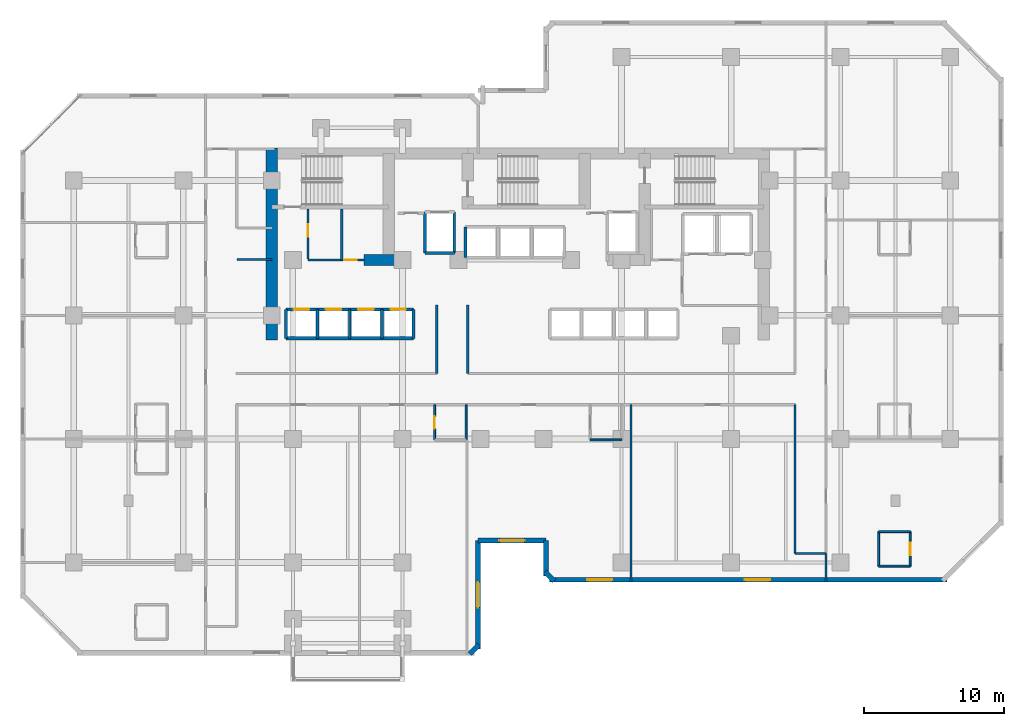
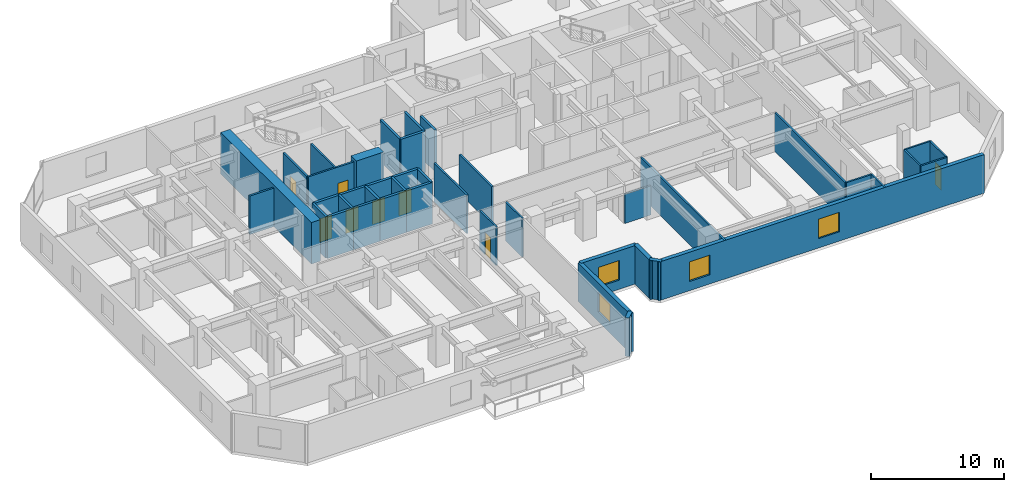
# One storey, part 7 of 12: 42 walls, 8 doors, 4 windows, 12 openings.
"""IFC4 building model written with IfcOpenShell, lengths in metres."""

import ifcopenshell
import ifcopenshell.guid

model = None  # the IFC model being written
_history = None  # IfcOwnerHistory: only IFC2X3 demands one
_inside = {}  # id of a spatial element -> (the spatial element, [elements in it])
_under = {}  # id of a project, library or spatial element -> (it, [spatial elements below it])
_declared = {}  # id of a project -> (the project, [libraries it declares])
_typed = {}  # id of a type object -> (the type object, [elements of that type])
_made_of = {}  # id of a material, layer set ... -> (it, [elements and type objects made of it])


def new_model(schema):
    """Start an empty IFC model of exactly this schema.

    Asked for "IFC4X3", IfcOpenShell would pick the latest addendum, in which some entities
    have other attributes; the version numbers below select the first issue.
    IFC2X3 requires an IfcOwnerHistory on every rooted entity: one is made here for all.
    """
    global model, _history
    if schema == "IFC4X3":
        model = ifcopenshell.file(schema_version=(4, 3, 0, 0))
    else:
        model = ifcopenshell.file(schema=schema)
    _inside.clear()
    _under.clear()
    _declared.clear()
    _typed.clear()
    _made_of.clear()
    _history = None
    if model.schema == "IFC2X3":
        org = make("IfcOrganization", Name="unknown")
        user = make(
            "IfcPersonAndOrganization",
            ThePerson=make("IfcPerson", FamilyName="unknown"),
            TheOrganization=org,
        )
        app = make(
            "IfcApplication",
            ApplicationDeveloper=org,
            Version="unknown",
            ApplicationFullName="unknown",
            ApplicationIdentifier="unknown",
        )
        _history = make(
            "IfcOwnerHistory",
            OwningUser=user,
            OwningApplication=app,
            ChangeAction="ADDED",
            CreationDate=0,
        )
    return model


def make(cls, **values):
    """One entity of the class cls with the attributes given. An attribute that is None is left unset."""
    return model.create_entity(
        cls, **{name: value for name, value in values.items() if value is not None}
    )


def rooted(cls, **values):
    """An entity with a GlobalId (a new one), such as an element, a storey or a relation."""
    return make(cls, GlobalId=ifcopenshell.guid.new(), OwnerHistory=_history, **values)


def si_unit(unit_type, name, prefix=None):
    """IfcSIUnit, for example si_unit("LENGTHUNIT", "METRE", prefix="MILLI")."""
    return make("IfcSIUnit", UnitType=unit_type, Prefix=prefix, Name=name)


def assignment(units):
    """IfcUnitAssignment: the units of a project."""
    return None if units is None else make("IfcUnitAssignment", Units=units)


def point(xyz):
    """IfcCartesianPoint."""
    return None if xyz is None else make("IfcCartesianPoint", Coordinates=xyz)


def direction(xyz):
    """IfcDirection."""
    return None if xyz is None else make("IfcDirection", DirectionRatios=xyz)


def frame(location, z_axis=None, x_axis=None):
    """IfcAxis2Placement3D, a coordinate frame: its origin and axes. An axis left out is left unset."""
    return make(
        "IfcAxis2Placement3D",
        Location=point(location),
        Axis=direction(z_axis),
        RefDirection=direction(x_axis),
    )


def frame_2d(location, x_axis=None):
    """IfcAxis2Placement2D, a coordinate frame in the plane: its origin and x axis."""
    return make(
        "IfcAxis2Placement2D", Location=point(location), RefDirection=direction(x_axis)
    )


def origin():
    """The frame at (0, 0, 0) with its axes left unset."""
    return frame((0.0, 0.0, 0.0))


def place(relative_to, where):
    """IfcLocalPlacement: puts the frame where relative to a parent placement (None: the world)."""
    return make(
        "IfcLocalPlacement", PlacementRelTo=relative_to, RelativePlacement=where
    )


def context(
    kind, dimensions, precision=None, world=None, true_north=None, identifier=None
):
    """IfcGeometricRepresentationContext, for example the 3D "Model" context."""
    return make(
        "IfcGeometricRepresentationContext",
        ContextIdentifier=identifier,
        ContextType=kind,
        CoordinateSpaceDimension=dimensions,
        Precision=precision,
        WorldCoordinateSystem=world,
        TrueNorth=true_north,
    )


def subcontext(parent, identifier, kind, view, scale=None):
    """IfcGeometricRepresentationSubContext, for example "Body" below "Model"."""
    return make(
        "IfcGeometricRepresentationSubContext",
        ContextIdentifier=identifier,
        ContextType=kind,
        ParentContext=parent,
        TargetScale=scale,
        TargetView=view,
    )


def project(units=None, contexts=None):
    """IfcProject with its units and contexts."""
    return rooted(
        "IfcProject",
        Name="project",
        RepresentationContexts=contexts,
        UnitsInContext=assignment(units),
    )


def spatial(cls, under=None, at=None, **own):
    """A site, building, storey or space (cls), placed at a placement, below another one or the project."""
    s = rooted(cls, ObjectPlacement=at, **own)
    if under is not None:
        _under.setdefault(under.id(), (under, []))[1].append(s)
    return s


def profile(cls, at=None, kind="AREA", **sizes):
    """A parametric profile (cls). Its sizes go by their IFC names, for example OverallWidth=200.0."""
    return make(cls, ProfileType=kind, Position=at, **sizes)


def rectangle(**sizes):
    """IfcRectangleProfileDef."""
    return profile("IfcRectangleProfileDef", **sizes)


def extrude(swept, where, along, depth):
    """IfcExtrudedAreaSolid: the profile swept, set in the frame where, extruded along a direction by depth."""
    return make(
        "IfcExtrudedAreaSolid",
        SweptArea=swept,
        Position=where,
        ExtrudedDirection=direction(along),
        Depth=depth,
    )


def shape(context_of_items, identifier, shape_type, items):
    """IfcShapeRepresentation: the items that make up one representation, for example the "Body"."""
    return make(
        "IfcShapeRepresentation",
        ContextOfItems=context_of_items,
        RepresentationIdentifier=identifier,
        RepresentationType=shape_type,
        Items=items,
    )


def material(Name=None, Category=None):
    """IfcMaterial."""
    return make("IfcMaterial", Name=Name, Category=Category)


def layer(
    of_material, thickness, ventilated=None, Name=None, Category=None, Priority=None
):
    """IfcMaterialLayer: one layer of a wall or slab, of a material (None: an air gap)."""
    return make(
        "IfcMaterialLayer",
        Material=of_material,
        LayerThickness=thickness,
        IsVentilated=ventilated,
        Name=Name,
        Category=Category,
        Priority=Priority,
    )


def layer_set(layers, Name=None):
    """IfcMaterialLayerSet."""
    return make("IfcMaterialLayerSet", MaterialLayers=layers, LayerSetName=Name)


def made_of(thing, what):
    """Note that an element or type object is made of a material, layer set ...; save() writes the relation."""
    if what is not None:
        _made_of.setdefault(what.id(), (what, []))[1].append(thing)
    return thing


def type_object(cls, material=None, **own):
    """A type object (cls), such as IfcWallType, which elements share."""
    return made_of(rooted(cls, **own), material)


def element(
    cls,
    number,
    at=None,
    inside=None,
    cuts=None,
    type_object=None,
    material=None,
    context=None,
    identifier="Body",
    shape_type=None,
    held_by="IfcProductDefinitionShape",
    body=None,
    shapes=None,
    **own,
):
    """One element of the class cls, such as IfcWall. Its Tag is "e" and its number.

    at: its placement. inside: the storey or other place that contains it. cuts: it is an
    opening in that element (IfcRelVoidsElement). A single representation is given by context,
    identifier, shape_type and body (its items); several are given by shapes. held_by: the class
    of the entity that holds the representations. save() writes the other relations.
    """
    e = rooted(cls, Tag="e%d" % number, ObjectPlacement=at, **own)
    if body is not None:
        shapes = [shape(context, identifier, shape_type, body)]
    if shapes is not None:
        e.Representation = make(held_by, Representations=shapes)
    if inside is not None:
        _inside.setdefault(inside.id(), (inside, []))[1].append(e)
    if cuts is not None:
        rooted(
            "IfcRelVoidsElement", RelatingBuildingElement=cuts, RelatedOpeningElement=e
        )
    if type_object is not None:
        _typed.setdefault(type_object.id(), (type_object, []))[1].append(e)
    return made_of(e, material)


def fill(opening, filler):
    """IfcRelFillsElement: the door or window that sits in an opening."""
    return rooted(
        "IfcRelFillsElement",
        RelatingOpeningElement=opening,
        RelatedBuildingElement=filler,
    )


def aggregate(whole, parts):
    """IfcRelAggregates: a whole, such as a stair, and the parts it consists of."""
    return rooted("IfcRelAggregates", RelatingObject=whole, RelatedObjects=parts)


def save(model, path):
    """Write the relations noted so far, then the file.

    IfcRelAggregates (storeys below a building ...), IfcRelContainedInSpatialStructure (elements
    in a storey), IfcRelDefinesByType, IfcRelAssociatesMaterial and IfcRelDeclares: one each for
    every whole, place, type object, material and project.
    """
    for whole, parts in _under.values():
        aggregate(whole, parts)
    for where, things in _inside.values():
        rooted(
            "IfcRelContainedInSpatialStructure",
            RelatedElements=things,
            RelatingStructure=where,
        )
    for kind, things in _typed.values():
        rooted("IfcRelDefinesByType", RelatedObjects=things, RelatingType=kind)
    for what, things in _made_of.values():
        rooted("IfcRelAssociatesMaterial", RelatedObjects=things, RelatingMaterial=what)
    for by, libraries in _declared.values():
        rooted("IfcRelDeclares", RelatingContext=by, RelatedDefinitions=libraries)
    model.write(path)


model = new_model("IFC4")

# Units and contexts
model_context = context("Model", 3, precision=1e-05, world=origin(), true_north=direction((0.0, 1.0)))
body_context = subcontext(model_context, "Body", "Model", "MODEL_VIEW")
ifc_project = project(units=[si_unit("LENGTHUNIT", "METRE"), si_unit("AREAUNIT", "SQUARE_METRE"), si_unit("VOLUMEUNIT", "CUBIC_METRE"), si_unit("PLANEANGLEUNIT", "RADIAN"), si_unit("MASSUNIT", "GRAM", prefix="KILO")], contexts=[model_context])

# Site, building, storey
site_placement = place(None, origin())
site = spatial("IfcSite", under=ifc_project, at=site_placement, CompositionType="ELEMENT")
building_placement = place(site_placement, origin())
building = spatial("IfcBuilding", under=site, at=building_placement, Name="Kestravale Grand Hotel", CompositionType="ELEMENT")
storey_placement = place(building_placement, frame((0.0, 0.0, 99.39990234375)))
storey = spatial("IfcBuildingStorey", under=building, at=storey_placement, Name="L24", CompositionType="ELEMENT", Elevation=99.39990234375)

# Walls
ifc_material_1 = material(Name="Concrete f'c 60 MPa", Category="concrete")
ifc_layer_1 = layer(ifc_material_1, 0.800048828125)
ifc_layer_set_1 = layer_set([ifc_layer_1], Name="EW-CORE-800")
wall_type_1 = type_object("IfcWallType", Name="EW-CORE-800", PredefinedType="SHEAR", material=ifc_layer_set_1)
wall_1_placement = place(storey_placement, frame((21.89990234375, 27.050048828125, 0.0), z_axis=(0.0, 0.0, 1.0), x_axis=(0.0, 1.0, 0.0)))
element("IfcWall", 1, at=wall_1_placement, inside=storey, type_object=wall_type_1, Name="L24 core shear wall W1", PredefinedType="SHEAR", context=body_context, shape_type="SweptSolid", body=[
    extrude(rectangle(XDim=13.669921875, YDim=0.800048828125, at=frame_2d((6.8349609375, 0.0))), origin(), (0.0, 0.0, 1.0), 3.800048828125),
])
wall_2_placement = place(storey_placement, frame((28.449951171875, 32.75, 0.0), z_axis=(0.0, 0.0, 1.0), x_axis=(1.0, 0.0, 0.0)))
element("IfcWall", 2, at=wall_2_placement, inside=storey, type_object=wall_type_1, Name="L24 core shear wall S1", PredefinedType="SHEAR", context=body_context, shape_type="SweptSolid", body=[
    extrude(rectangle(XDim=2.400146484375, YDim=0.800048828125, at=frame_2d((1.2001953125, 0.0))), origin(), (0.0, 0.0, 1.0), 3.800048828125),
])
ifc_material_2 = material(Name="Precast concrete f'c 45 MPa", Category="concrete")
ifc_layer_2 = layer(ifc_material_2, 0.340087890625)
ifc_layer_set_2 = layer_set([ifc_layer_2], Name="EW-PREC-340")
wall_type_2 = type_object("IfcWallType", Name="EW-PREC-340", PredefinedType="SOLIDWALL", material=ifc_layer_set_2)
wall_3_placement = place(storey_placement, frame((36.00146484375, 4.69189453125, 0.0), z_axis=(0.0, 0.0, 1.0), x_axis=(0.707238225886, 0.706975312048, 0.0)))
element("IfcWall", 3, at=wall_3_placement, inside=storey, type_object=wall_type_2, Name="L24 fluted precast facade wall 2", PredefinedType="SOLIDWALL", context=body_context, shape_type="SweptSolid", body=[
    extrude(rectangle(XDim=0.9287109375, YDim=0.340087890625, at=frame_2d((0.46435546875, 0.0))), origin(), (0.0, 0.0, 1.0), 3.5400390625),
])

# Wall, opening, window
wall_4_placement = place(storey_placement, frame((36.580078125, 5.030029296875, 0.0), z_axis=(0.0, 0.0, 1.0), x_axis=(0.0, 1.0, 0.0)))
wall_4 = element("IfcWall", 4, at=wall_4_placement, inside=storey, type_object=wall_type_2, Name="L24 fluted precast facade wall 3", PredefinedType="SOLIDWALL", context=body_context, shape_type="SweptSolid", body=[
    extrude(rectangle(XDim=7.739990234375, YDim=0.340087890625, at=frame_2d((3.8701171875, 0.0))), origin(), (0.0, 0.0, 1.0), 3.5400390625),
])
opening_1_placement = place(wall_4_placement, frame((2.969970703125, 0.0, 0.85009765625)))
opening_1 = element("IfcOpeningElement", 5, at=opening_1_placement, cuts=wall_4, Name="Opening W-GUEST-1800", PredefinedType="OPENING", context=body_context, shape_type="SweptSolid", body=[
    extrude(rectangle(XDim=1.800048828125, YDim=1.800048828125, at=frame_2d((0.89990234375, 0.89990234375))), frame((0.0, 0.179931640625, 0.0), z_axis=(0.0, -1.0, 0.0), x_axis=(1.0, 0.0, 0.0)), (0.0, 0.0, 1.0), 0.360107421875),
])
ifc_material_3 = material(Name="Insulated low-E double glazing in aluminium frame", Category="aluminium")
window_type = type_object("IfcWindowType", Name="W-GUEST-1800", PartitioningType="DOUBLE_PANEL_VERTICAL", PredefinedType="WINDOW", material=ifc_material_3)
window_1_placement = place(opening_1_placement, origin())
window_1 = element("IfcWindow", 6, at=window_1_placement, inside=storey, type_object=window_type, Name="L24 exterior window 3.1", OverallHeight=1.800048828125, OverallWidth=1.800048828125, PartitioningType="SINGLE_PANEL", PredefinedType="WINDOW", context=body_context, shape_type="SweptSolid", body=[
    extrude(rectangle(XDim=1.800048828125, YDim=1.800048828125, at=frame_2d((0.89990234375, 0.89990234375))), frame((0.0, 0.030029296875, 0.0), z_axis=(0.0, -1.0, 0.0), x_axis=(1.0, 0.0, 0.0)), (0.0, 0.0, 1.0), 0.06005859375),
])
fill(opening_1, window_1)

wall_5_placement = place(storey_placement, frame((36.580078125, 12.77001953125, 0.0), z_axis=(0.0, 0.0, 1.0), x_axis=(1.0, 0.0, 0.0)))
wall_5 = element("IfcWall", 7, at=wall_5_placement, inside=storey, type_object=wall_type_2, Name="L24 fluted precast facade wall 4", PredefinedType="SOLIDWALL", context=body_context, shape_type="SweptSolid", body=[
    extrude(rectangle(XDim=4.83984375, YDim=0.340087890625, at=frame_2d((2.419921875, 0.0))), origin(), (0.0, 0.0, 1.0), 3.5400390625),
])
opening_2_placement = place(wall_5_placement, frame((1.52001953125, 0.0, 0.85009765625)))
opening_2 = element("IfcOpeningElement", 8, at=opening_2_placement, cuts=wall_5, Name="Opening W-GUEST-1800", PredefinedType="OPENING", context=body_context, shape_type="SweptSolid", body=[
    extrude(rectangle(XDim=1.800048828125, YDim=1.800048828125, at=frame_2d((0.89990234375, 0.89990234375))), frame((0.0, 0.179931640625, 0.0), z_axis=(0.0, -1.0, 0.0), x_axis=(1.0, 0.0, 0.0)), (0.0, 0.0, 1.0), 0.360107421875),
])
window_2_placement = place(opening_2_placement, origin())
window_2 = element("IfcWindow", 9, at=window_2_placement, inside=storey, type_object=window_type, Name="L24 exterior window 4.1", OverallHeight=1.800048828125, OverallWidth=1.800048828125, PartitioningType="SINGLE_PANEL", PredefinedType="WINDOW", context=body_context, shape_type="SweptSolid", body=[
    extrude(rectangle(XDim=1.800048828125, YDim=1.800048828125, at=frame_2d((0.89990234375, 0.89990234375))), frame((0.0, 0.030029296875, 0.0), z_axis=(0.0, -1.0, 0.0), x_axis=(1.0, 0.0, 0.0)), (0.0, 0.0, 1.0), 0.06005859375),
])
fill(opening_2, window_2)

# Walls
wall_6_placement = place(storey_placement, frame((41.419921875, 12.77001953125, 0.0), z_axis=(0.0, 0.0, 1.0), x_axis=(0.0, -1.0, 0.0)))
element("IfcWall", 10, at=wall_6_placement, inside=storey, type_object=wall_type_2, Name="L24 fluted precast facade wall 5", PredefinedType="SOLIDWALL", context=body_context, shape_type="SweptSolid", body=[
    extrude(rectangle(XDim=2.5400390625, YDim=0.340087890625, at=frame_2d((1.27001953125, 0.0))), origin(), (0.0, 0.0, 1.0), 3.5400390625),
])
wall_7_placement = place(storey_placement, frame((41.341796875, 10.548583984375, 0.0), z_axis=(0.0, 0.0, 1.0), x_axis=(0.707106781187, -0.707106781187, 0.0)))
element("IfcWall", 11, at=wall_7_placement, inside=storey, type_object=wall_type_2, Name="L24 fluted precast facade wall 6", PredefinedType="SOLIDWALL", context=body_context, shape_type="SweptSolid", body=[
    extrude(rectangle(XDim=0.9287109375, YDim=0.340087890625, at=frame_2d((0.46435546875, 0.0))), origin(), (0.0, 0.0, 1.0), 3.5400390625),
])

# Wall, openings, windows
wall_8_placement = place(storey_placement, frame((41.679931640625, 9.969970703125, 0.0), z_axis=(0.0, 0.0, 1.0), x_axis=(1.0, 0.0, 0.0)))
wall_8 = element("IfcWall", 12, at=wall_8_placement, inside=storey, type_object=wall_type_2, Name="L24 fluted precast facade wall 7", PredefinedType="SOLIDWALL", context=body_context, shape_type="SweptSolid", body=[
    extrude(rectangle(XDim=28.2900390625, YDim=0.340087890625, at=frame_2d((14.14501953125, 0.0))), origin(), (0.0, 0.0, 1.0), 3.5400390625),
])
opening_3_placement = place(wall_8_placement, frame((2.6650390625, 0.0, 0.85009765625)))
opening_3 = element("IfcOpeningElement", 13, at=opening_3_placement, cuts=wall_8, Name="Opening W-GUEST-1800", PredefinedType="OPENING", context=body_context, shape_type="SweptSolid", body=[
    extrude(rectangle(XDim=1.800048828125, YDim=1.800048828125, at=frame_2d((0.89990234375, 0.89990234375))), frame((0.0, 0.179931640625, 0.0), z_axis=(0.0, -1.0, 0.0), x_axis=(1.0, 0.0, 0.0)), (0.0, 0.0, 1.0), 0.360107421875),
])
opening_4_placement = place(wall_8_placement, frame((13.89501953125, 0.0, 0.85009765625)))
opening_4 = element("IfcOpeningElement", 14, at=opening_4_placement, cuts=wall_8, Name="Opening W-GUEST-1800", PredefinedType="OPENING", context=body_context, shape_type="SweptSolid", body=[
    extrude(rectangle(XDim=1.800048828125, YDim=1.800048828125, at=frame_2d((0.89990234375, 0.89990234375))), frame((0.0, 0.179931640625, 0.0), z_axis=(0.0, -1.0, 0.0), x_axis=(1.0, 0.0, 0.0)), (0.0, 0.0, 1.0), 0.360107421875),
])
window_3_placement = place(opening_3_placement, origin())
window_3 = element("IfcWindow", 15, at=window_3_placement, inside=storey, type_object=window_type, Name="L24 exterior window 7.1", OverallHeight=1.800048828125, OverallWidth=1.800048828125, PartitioningType="SINGLE_PANEL", PredefinedType="WINDOW", context=body_context, shape_type="SweptSolid", body=[
    extrude(rectangle(XDim=1.800048828125, YDim=1.800048828125, at=frame_2d((0.89990234375, 0.89990234375))), frame((0.0, 0.030029296875, 0.0), z_axis=(0.0, -1.0, 0.0), x_axis=(1.0, 0.0, 0.0)), (0.0, 0.0, 1.0), 0.06005859375),
])
fill(opening_3, window_3)
window_4_placement = place(opening_4_placement, origin())
window_4 = element("IfcWindow", 16, at=window_4_placement, inside=storey, type_object=window_type, Name="L24 exterior window 7.2", OverallHeight=1.800048828125, OverallWidth=1.800048828125, PartitioningType="SINGLE_PANEL", PredefinedType="WINDOW", context=body_context, shape_type="SweptSolid", body=[
    extrude(rectangle(XDim=1.800048828125, YDim=1.800048828125, at=frame_2d((0.89990234375, 0.89990234375))), frame((0.0, 0.030029296875, 0.0), z_axis=(0.0, -1.0, 0.0), x_axis=(1.0, 0.0, 0.0)), (0.0, 0.0, 1.0), 0.06005859375),
])
fill(opening_4, window_4)

# Wall, opening, door
ifc_material_4 = material(Name="Acoustic fire-rated gypsum board partition", Category="other")
ifc_layer_3 = layer(ifc_material_4, 0.159912109375)
ifc_layer_set_3 = layer_set([ifc_layer_3], Name="IW-CORR-160")
wall_type_3 = type_object("IfcWallType", Name="IW-CORR-160", PredefinedType="PARTITIONING", material=ifc_layer_set_3)
wall_9_placement = place(storey_placement, frame((24.47998046875, 32.800048828125, 0.0), z_axis=(0.0, 0.0, 1.0), x_axis=(0.0, 1.0, 0.0)))
wall_9 = element("IfcWall", 17, at=wall_9_placement, inside=storey, type_object=wall_type_3, Name="L24 west core vestibule wall", PredefinedType="PARTITIONING", context=body_context, shape_type="SweptSolid", body=[
    extrude(rectangle(XDim=3.570068359375, YDim=0.159912109375, at=frame_2d((1.78515625, 0.0))), origin(), (0.0, 0.0, 1.0), 3.5400390625),
])
opening_5_placement = place(wall_9_placement, frame((1.603515625, 0.0, 0.0)))
opening_5 = element("IfcOpeningElement", 18, at=opening_5_placement, cuts=wall_9, Name="Opening D-SH-900", PredefinedType="OPENING", context=body_context, shape_type="SweptSolid", body=[
    extrude(rectangle(XDim=0.89990234375, YDim=2.10009765625, at=frame_2d((0.449951171875, 1.050048828125))), frame((0.0, 0.08984375, 0.0), z_axis=(0.0, -1.0, 0.0), x_axis=(1.0, 0.0, 0.0)), (0.0, 0.0, 1.0), 0.179931640625),
])
ifc_material_5 = material(Name="Galvanised 90-minute shaft and service fire door", Category="steel")
door_type_1 = type_object("IfcDoorType", Name="D-SH-900", OperationType="NOTDEFINED", PredefinedType="DOOR", material=ifc_material_5)
door_1_placement = place(opening_5_placement, origin())
door_1 = element("IfcDoor", 19, at=door_1_placement, inside=storey, type_object=door_type_1, Name="D-L24-HK", OperationType="SINGLE_SWING_RIGHT", OverallHeight=2.10009765625, OverallWidth=0.89990234375, PredefinedType="DOOR", context=body_context, shape_type="SweptSolid", body=[
    extrude(rectangle(XDim=0.89990234375, YDim=2.10009765625, at=frame_2d((0.449951171875, 1.050048828125))), frame((0.0, 0.02490234375, 0.0), z_axis=(0.0, -1.0, 0.0), x_axis=(1.0, 0.0, 0.0)), (0.0, 0.0, 1.0), 0.050048828125),
])
fill(opening_5, door_1)

wall_10_placement = place(storey_placement, frame((24.47998046875, 32.75, 0.0), z_axis=(0.0, 0.0, 1.0), x_axis=(1.0, 0.0, 0.0)))
wall_10 = element("IfcWall", 20, at=wall_10_placement, inside=storey, type_object=wall_type_3, Name="W-L24-CWS", PredefinedType="PARTITIONING", context=body_context, shape_type="SweptSolid", body=[
    extrude(rectangle(XDim=3.969970703125, YDim=0.159912109375, at=frame_2d((1.98486328125, 0.0))), origin(), (0.0, 0.0, 1.0), 3.5400390625),
])
opening_6_placement = place(wall_10_placement, frame((2.574951171875, 0.0, 0.0)))
opening_6 = element("IfcOpeningElement", 21, at=opening_6_placement, cuts=wall_10, Name="Opening D-BATH-880", PredefinedType="OPENING", context=body_context, shape_type="SweptSolid", body=[
    extrude(rectangle(XDim=0.8798828125, YDim=2.050048828125, at=frame_2d((0.43994140625, 1.02490234375))), frame((0.0, 0.08984375, 0.0), z_axis=(0.0, -1.0, 0.0), x_axis=(1.0, 0.0, 0.0)), (0.0, 0.0, 1.0), 0.179931640625),
])
ifc_material_6 = material(Name="Moisture-sealed walnut en-suite bathroom door", Category="wood")
door_type_2 = type_object("IfcDoorType", Name="D-BATH-880", OperationType="NOTDEFINED", PredefinedType="DOOR", material=ifc_material_6)
door_2_placement = place(opening_6_placement, origin())
door_2 = element("IfcDoor", 22, at=door_2_placement, inside=storey, type_object=door_type_2, Name="D-L24-SWC", OperationType="SINGLE_SWING_RIGHT", OverallHeight=2.050048828125, OverallWidth=0.8798828125, PredefinedType="DOOR", context=body_context, shape_type="SweptSolid", body=[
    extrude(rectangle(XDim=0.8798828125, YDim=2.050048828125, at=frame_2d((0.43994140625, 1.02490234375))), frame((0.0, 0.02490234375, 0.0), z_axis=(0.0, -1.0, 0.0), x_axis=(1.0, 0.0, 0.0)), (0.0, 0.0, 1.0), 0.050048828125),
])
fill(opening_6, door_2)

# Walls
for number, where, z_axis, x_axis, name in (
    (23, (33.64990234375, 24.659912109375, 0.0), (0.0, 0.0, 1.0), (0.0, 1.0, 0.0), "W-L24-TRUNK-W"),
    (24, (35.85009765625, 24.659912109375, 0.0), (0.0, 0.0, 1.0), (0.0, 1.0, 0.0), "W-L24-TRUNK-E"),
):
    element("IfcWall", number, at=place(storey_placement, frame(where, z_axis=z_axis, x_axis=x_axis)), inside=storey, type_object=wall_type_3, Name=name, PredefinedType="PARTITIONING", context=body_context, shape_type="SweptSolid", body=[
        extrude(rectangle(XDim=4.89013671875, YDim=0.159912109375, at=frame_2d((2.445068359375, 0.0))), origin(), (0.0, 0.0, 1.0), 3.5400390625),
    ])
wall_11_placement = place(storey_placement, frame((19.409912109375, 32.780029296875, 0.0), z_axis=(0.0, 0.0, 1.0), x_axis=(1.0, 0.0, 0.0)))
element("IfcWall", 25, at=wall_11_placement, inside=storey, type_object=wall_type_3, Name="W-L24-SW-CS", PredefinedType="PARTITIONING", context=body_context, shape_type="SweptSolid", body=[
    extrude(rectangle(XDim=2.489990234375, YDim=0.159912109375, at=frame_2d((1.2451171875, 0.0))), origin(), (0.0, 0.0, 1.0), 3.5400390625),
])
wall_12_placement = place(storey_placement, frame((59.139892578125, 11.85009765625, 0.0), z_axis=(0.0, 0.0, 1.0), x_axis=(0.0, 1.0, 0.0)))
element("IfcWall", 26, at=wall_12_placement, inside=storey, type_object=wall_type_3, Name="W-L24-SE-W", PredefinedType="PARTITIONING", context=body_context, shape_type="SweptSolid", body=[
    extrude(rectangle(XDim=10.58984375, YDim=0.159912109375, at=frame_2d((5.294921875, 0.0))), origin(), (0.0, 0.0, 1.0), 3.5400390625),
])

# Wall, opening, door
ifc_material_7 = material(Name="Moisture-resistant tile-backer plumbing chase wall", Category="other")
ifc_layer_4 = layer(ifc_material_7, 0.139892578125)
ifc_layer_set_4 = layer_set([ifc_layer_4], Name="IW-PLB-140")
wall_type_4 = type_object("IfcWallType", Name="IW-PLB-140", PredefinedType="PLUMBINGWALL", material=ifc_layer_set_4)
wall_13_placement = place(storey_placement, frame((33.489990234375, 19.929931640625, 0.0), z_axis=(0.0, 0.0, 1.0), x_axis=(0.0, 1.0, 0.0)))
wall_13 = element("IfcWall", 27, at=wall_13_placement, inside=storey, type_object=wall_type_4, Name="W-L24-U01-BW", PredefinedType="PLUMBINGWALL", context=body_context, shape_type="SweptSolid", body=[
    extrude(rectangle(XDim=2.489990234375, YDim=0.139892578125, at=frame_2d((1.2451171875, 0.0))), origin(), (0.0, 0.0, 1.0), 3.5400390625),
])
opening_7_placement = place(wall_13_placement, frame((0.804931640625, 0.0, 0.0)))
opening_7 = element("IfcOpeningElement", 28, at=opening_7_placement, cuts=wall_13, Name="Opening D-BATH-880", PredefinedType="OPENING", context=body_context, shape_type="SweptSolid", body=[
    extrude(rectangle(XDim=0.8798828125, YDim=2.050048828125, at=frame_2d((0.43994140625, 1.02490234375))), frame((0.0, 0.079833984375, 0.0), z_axis=(0.0, -1.0, 0.0), x_axis=(1.0, 0.0, 0.0)), (0.0, 0.0, 1.0), 0.159912109375),
])
door_3_placement = place(opening_7_placement, origin())
door_3 = element("IfcDoor", 29, at=door_3_placement, inside=storey, type_object=door_type_2, Name="D-L24-U01-BATH", OperationType="SINGLE_SWING_RIGHT", OverallHeight=2.050048828125, OverallWidth=0.8798828125, PredefinedType="DOOR", context=body_context, shape_type="SweptSolid", body=[
    extrude(rectangle(XDim=0.8798828125, YDim=2.050048828125, at=frame_2d((0.43994140625, 1.02490234375))), frame((0.0, 0.02490234375, 0.0), z_axis=(0.0, -1.0, 0.0), x_axis=(1.0, 0.0, 0.0)), (0.0, 0.0, 1.0), 0.050048828125),
])
fill(opening_7, door_3)

# Walls
wall_14_placement = place(storey_placement, frame((35.739990234375, 19.929931640625, 0.0), z_axis=(0.0, 0.0, 1.0), x_axis=(0.0, 1.0, 0.0)))
element("IfcWall", 30, at=wall_14_placement, inside=storey, type_object=wall_type_4, Name="W-L24-U01-BE", PredefinedType="PLUMBINGWALL", context=body_context, shape_type="SweptSolid", body=[
    extrude(rectangle(XDim=2.489990234375, YDim=0.139892578125, at=frame_2d((1.2451171875, 0.0))), origin(), (0.0, 0.0, 1.0), 3.5400390625),
])
wall_15_placement = place(storey_placement, frame((44.570068359375, 19.929931640625, 0.0), z_axis=(0.0, 0.0, 1.0), x_axis=(1.0, 0.0, 0.0)))
element("IfcWall", 31, at=wall_15_placement, inside=storey, type_object=wall_type_4, Name="W-L24-U02-BS", PredefinedType="PLUMBINGWALL", context=body_context, shape_type="SweptSolid", body=[
    extrude(rectangle(XDim=2.25, YDim=0.139892578125, at=frame_2d((1.125, 0.0))), origin(), (0.0, 0.0, 1.0), 2.67919921875),
])
wall_16_placement = place(storey_placement, frame((65.10009765625, 10.949951171875, 0.0), z_axis=(0.0, 0.0, 1.0), x_axis=(0.0, 1.0, 0.0)))
element("IfcWall", 32, at=wall_16_placement, inside=storey, type_object=wall_type_4, Name="W-L24-U07-BW", PredefinedType="PLUMBINGWALL", context=body_context, shape_type="SweptSolid", body=[
    extrude(rectangle(XDim=2.449951171875, YDim=0.139892578125, at=frame_2d((1.22509765625, 0.0))), origin(), (0.0, 0.0, 1.0), 3.5400390625),
])

# Wall, opening, door
wall_17_placement = place(storey_placement, frame((67.35009765625, 10.949951171875, 0.0), z_axis=(0.0, 0.0, 1.0), x_axis=(0.0, 1.0, 0.0)))
wall_17 = element("IfcWall", 33, at=wall_17_placement, inside=storey, type_object=wall_type_4, Name="W-L24-U07-BE", PredefinedType="PLUMBINGWALL", context=body_context, shape_type="SweptSolid", body=[
    extrude(rectangle(XDim=2.449951171875, YDim=0.139892578125, at=frame_2d((1.22509765625, 0.0))), origin(), (0.0, 0.0, 1.0), 3.5400390625),
])
opening_8_placement = place(wall_17_placement, frame((0.784912109375, 0.0, 0.0)))
opening_8 = element("IfcOpeningElement", 34, at=opening_8_placement, cuts=wall_17, Name="Opening D-BATH-880", PredefinedType="OPENING", context=body_context, shape_type="SweptSolid", body=[
    extrude(rectangle(XDim=0.8798828125, YDim=2.050048828125, at=frame_2d((0.43994140625, 1.02490234375))), frame((0.0, 0.079833984375, 0.0), z_axis=(0.0, -1.0, 0.0), x_axis=(1.0, 0.0, 0.0)), (0.0, 0.0, 1.0), 0.159912109375),
])
door_4_placement = place(opening_8_placement, origin())
door_4 = element("IfcDoor", 35, at=door_4_placement, inside=storey, type_object=door_type_2, Name="D-L24-U07-BATH", OperationType="SINGLE_SWING_RIGHT", OverallHeight=2.050048828125, OverallWidth=0.8798828125, PredefinedType="DOOR", context=body_context, shape_type="SweptSolid", body=[
    extrude(rectangle(XDim=0.8798828125, YDim=2.050048828125, at=frame_2d((0.43994140625, 1.02490234375))), frame((0.0, 0.02490234375, 0.0), z_axis=(0.0, -1.0, 0.0), x_axis=(1.0, 0.0, 0.0)), (0.0, 0.0, 1.0), 0.050048828125),
])
fill(opening_8, door_4)

# Walls
for number, where, z_axis, x_axis, name in (
    (36, (65.10009765625, 10.949951171875, 0.0), (0.0, 0.0, 1.0), (1.0, 0.0, 0.0), "W-L24-U07-BS"),
    (37, (65.10009765625, 13.39990234375, 0.0), (0.0, 0.0, 1.0), (1.0, 0.0, 0.0), "W-L24-U07-BN"),
):
    element("IfcWall", number, at=place(storey_placement, frame(where, z_axis=z_axis, x_axis=x_axis)), inside=storey, type_object=wall_type_4, Name=name, PredefinedType="PLUMBINGWALL", context=body_context, shape_type="SweptSolid", body=[
        extrude(rectangle(XDim=2.25, YDim=0.139892578125, at=frame_2d((1.125, 0.0))), origin(), (0.0, 0.0, 1.0), 3.5400390625),
    ])
ifc_material_8 = material(Name="Concrete f'c 45 MPa", Category="concrete")
ifc_layer_5 = layer(ifc_material_8, 0.199951171875)
ifc_layer_set_5 = layer_set([ifc_layer_5], Name="IW-SHAFT-200")
wall_type_5 = type_object("IfcWallType", Name="IW-SHAFT-200", PredefinedType="SHEAR", material=ifc_layer_set_5)
for number, where, z_axis, x_axis, name in (
    (38, (22.905029296875, 27.169921875, 0.0), (0.0, 0.0, 1.0), (0.0, 1.0, 0.0), "L24 PL-L1 west shaft wall"),
    (39, (25.14990234375, 27.169921875, 0.0), (0.0, 0.0, 1.0), (0.0, 1.0, 0.0), "L24 PL-L2 west shaft wall"),
    (40, (27.449951171875, 27.169921875, 0.0), (0.0, 0.0, 1.0), (0.0, 1.0, 0.0), "L24 PL-L3 west shaft wall"),
    (41, (29.75, 27.169921875, 0.0), (0.0, 0.0, 1.0), (0.0, 1.0, 0.0), "L24 PL-L4 west shaft wall"),
    (42, (31.9951171875, 27.169921875, 0.0), (0.0, 0.0, 1.0), (0.0, 1.0, 0.0), "L24 PL-L4 east shaft wall"),
):
    element("IfcWall", number, at=place(storey_placement, frame(where, z_axis=z_axis, x_axis=x_axis)), inside=storey, type_object=wall_type_5, Name=name, PredefinedType="SHEAR", context=body_context, shape_type="SweptSolid", body=[
        extrude(rectangle(XDim=2.06005859375, YDim=0.199951171875, at=frame_2d((1.030029296875, 0.0))), origin(), (0.0, 0.0, 1.0), 3.800048828125),
    ])
wall_18_placement = place(storey_placement, frame((35.679931640625, 32.919921875, 0.0), z_axis=(0.0, 0.0, 1.0), x_axis=(0.0, 1.0, 0.0)))
element("IfcWall", 43, at=wall_18_placement, inside=storey, type_object=wall_type_5, Name="L24 PL-X1 west shaft wall", PredefinedType="SHEAR", context=body_context, shape_type="SweptSolid", body=[
    extrude(rectangle(XDim=2.16015625, YDim=0.199951171875, at=frame_2d((1.080078125, 0.0))), origin(), (0.0, 0.0, 1.0), 3.800048828125),
])
for number, where, z_axis, x_axis, name in (
    (44, (32.804931640625, 33.2451171875, 0.0), (0.0, 0.0, 1.0), (0.0, 1.0, 0.0), "L24 FL-1 west shaft wall"),
    (45, (34.89501953125, 33.2451171875, 0.0), (0.0, 0.0, 1.0), (0.0, 1.0, 0.0), "L24 FL-1 east shaft wall"),
):
    element("IfcWall", number, at=place(storey_placement, frame(where, z_axis=z_axis, x_axis=x_axis)), inside=storey, type_object=wall_type_5, Name=name, PredefinedType="SHEAR", context=body_context, shape_type="SweptSolid", body=[
        extrude(rectangle(XDim=2.909912109375, YDim=0.199951171875, at=frame_2d((1.455078125, 0.0))), origin(), (0.0, 0.0, 1.0), 3.800048828125),
    ])

# Wall, opening, door
ifc_material_9 = material(Name="Concrete f'c 45 MPa", Category="concrete")
ifc_layer_6 = layer(ifc_material_9, 0.219970703125)
ifc_layer_set_6 = layer_set([ifc_layer_6], Name="IW-SHAFT-220")
wall_type_6 = type_object("IfcWallType", Name="IW-SHAFT-220", PredefinedType="SHEAR", material=ifc_layer_set_6)
wall_19_placement = place(storey_placement, frame((22.905029296875, 29.22998046875, 0.0), z_axis=(0.0, 0.0, 1.0), x_axis=(1.0, 0.0, 0.0)))
wall_19 = element("IfcWall", 46, at=wall_19_placement, inside=storey, type_object=wall_type_6, Name="L24 PL-L1 north shaft wall", PredefinedType="SHEAR", context=body_context, shape_type="SweptSolid", body=[
    extrude(rectangle(XDim=2.244873046875, YDim=0.219970703125, at=frame_2d((1.12255859375, 0.0))), origin(), (0.0, 0.0, 1.0), 3.800048828125),
])
opening_9_placement = place(wall_19_placement, frame((0.544921875, 0.0, 0.0)))
opening_9 = element("IfcOpeningElement", 47, at=opening_9_placement, cuts=wall_19, Name="Opening LD-PAX-1100", PredefinedType="OPENING", context=body_context, shape_type="SweptSolid", body=[
    extrude(rectangle(XDim=1.10009765625, YDim=2.14990234375, at=frame_2d((0.550048828125, 1.074951171875))), frame((0.0, 0.119873046875, 0.0), z_axis=(0.0, -1.0, 0.0), x_axis=(1.0, 0.0, 0.0)), (0.0, 0.0, 1.0), 0.239990234375),
])
ifc_material_10 = material(Name="Champagne-bronze center-opening sliding elevator landing door", Category="steel")
door_type_3 = type_object("IfcDoorType", Name="LD-PAX-1100", OperationType="NOTDEFINED", PredefinedType="DOOR", material=ifc_material_10)
door_5_placement = place(opening_9_placement, origin())
door_5 = element("IfcDoor", 48, at=door_5_placement, inside=storey, type_object=door_type_3, Name="L24 PL-L1 elevator landing sliding door", OperationType="DOUBLE_DOOR_SLIDING", OverallHeight=2.14990234375, OverallWidth=1.10009765625, PredefinedType="DOOR", context=body_context, shape_type="SweptSolid", body=[
    extrude(rectangle(XDim=1.10009765625, YDim=2.14990234375, at=frame_2d((0.550048828125, 1.074951171875))), frame((0.0, 0.02490234375, 0.0), z_axis=(0.0, -1.0, 0.0), x_axis=(1.0, 0.0, 0.0)), (0.0, 0.0, 1.0), 0.050048828125),
])
fill(opening_9, door_5)

# Wall
wall_20_placement = place(storey_placement, frame((22.905029296875, 27.169921875, 0.0), z_axis=(0.0, 0.0, 1.0), x_axis=(1.0, 0.0, 0.0)))
element("IfcWall", 49, at=wall_20_placement, inside=storey, type_object=wall_type_6, Name="L24 PL-L1 south shaft wall", PredefinedType="SHEAR", context=body_context, shape_type="SweptSolid", body=[
    extrude(rectangle(XDim=2.244873046875, YDim=0.219970703125, at=frame_2d((1.12255859375, 0.0))), origin(), (0.0, 0.0, 1.0), 3.800048828125),
])

# Wall, opening, door
wall_21_placement = place(storey_placement, frame((25.14990234375, 29.22998046875, 0.0), z_axis=(0.0, 0.0, 1.0), x_axis=(1.0, 0.0, 0.0)))
wall_21 = element("IfcWall", 50, at=wall_21_placement, inside=storey, type_object=wall_type_6, Name="L24 PL-L2 north shaft wall", PredefinedType="SHEAR", context=body_context, shape_type="SweptSolid", body=[
    extrude(rectangle(XDim=2.300048828125, YDim=0.219970703125, at=frame_2d((1.14990234375, 0.0))), origin(), (0.0, 0.0, 1.0), 3.800048828125),
])
opening_10_placement = place(wall_21_placement, frame((0.60009765625, 0.0, 0.0)))
opening_10 = element("IfcOpeningElement", 51, at=opening_10_placement, cuts=wall_21, Name="Opening LD-PAX-1100", PredefinedType="OPENING", context=body_context, shape_type="SweptSolid", body=[
    extrude(rectangle(XDim=1.10009765625, YDim=2.14990234375, at=frame_2d((0.550048828125, 1.074951171875))), frame((0.0, 0.119873046875, 0.0), z_axis=(0.0, -1.0, 0.0), x_axis=(1.0, 0.0, 0.0)), (0.0, 0.0, 1.0), 0.239990234375),
])
door_6_placement = place(opening_10_placement, origin())
door_6 = element("IfcDoor", 52, at=door_6_placement, inside=storey, type_object=door_type_3, Name="L24 PL-L2 elevator landing sliding door", OperationType="DOUBLE_DOOR_SLIDING", OverallHeight=2.14990234375, OverallWidth=1.10009765625, PredefinedType="DOOR", context=body_context, shape_type="SweptSolid", body=[
    extrude(rectangle(XDim=1.10009765625, YDim=2.14990234375, at=frame_2d((0.550048828125, 1.074951171875))), frame((0.0, 0.02490234375, 0.0), z_axis=(0.0, -1.0, 0.0), x_axis=(1.0, 0.0, 0.0)), (0.0, 0.0, 1.0), 0.050048828125),
])
fill(opening_10, door_6)

# Wall
wall_22_placement = place(storey_placement, frame((25.14990234375, 27.169921875, 0.0), z_axis=(0.0, 0.0, 1.0), x_axis=(1.0, 0.0, 0.0)))
element("IfcWall", 53, at=wall_22_placement, inside=storey, type_object=wall_type_6, Name="L24 PL-L2 south shaft wall", PredefinedType="SHEAR", context=body_context, shape_type="SweptSolid", body=[
    extrude(rectangle(XDim=2.300048828125, YDim=0.219970703125, at=frame_2d((1.14990234375, 0.0))), origin(), (0.0, 0.0, 1.0), 3.800048828125),
])

# Wall, opening, door
wall_23_placement = place(storey_placement, frame((27.449951171875, 29.22998046875, 0.0), z_axis=(0.0, 0.0, 1.0), x_axis=(1.0, 0.0, 0.0)))
wall_23 = element("IfcWall", 54, at=wall_23_placement, inside=storey, type_object=wall_type_6, Name="L24 PL-L3 north shaft wall", PredefinedType="SHEAR", context=body_context, shape_type="SweptSolid", body=[
    extrude(rectangle(XDim=2.300048828125, YDim=0.219970703125, at=frame_2d((1.14990234375, 0.0))), origin(), (0.0, 0.0, 1.0), 3.800048828125),
])
opening_11_placement = place(wall_23_placement, frame((0.60009765625, 0.0, 0.0)))
opening_11 = element("IfcOpeningElement", 55, at=opening_11_placement, cuts=wall_23, Name="Opening LD-PAX-1100", PredefinedType="OPENING", context=body_context, shape_type="SweptSolid", body=[
    extrude(rectangle(XDim=1.10009765625, YDim=2.14990234375, at=frame_2d((0.550048828125, 1.074951171875))), frame((0.0, 0.119873046875, 0.0), z_axis=(0.0, -1.0, 0.0), x_axis=(1.0, 0.0, 0.0)), (0.0, 0.0, 1.0), 0.239990234375),
])
door_7_placement = place(opening_11_placement, origin())
door_7 = element("IfcDoor", 56, at=door_7_placement, inside=storey, type_object=door_type_3, Name="L24 PL-L3 elevator landing sliding door", OperationType="DOUBLE_DOOR_SLIDING", OverallHeight=2.14990234375, OverallWidth=1.10009765625, PredefinedType="DOOR", context=body_context, shape_type="SweptSolid", body=[
    extrude(rectangle(XDim=1.10009765625, YDim=2.14990234375, at=frame_2d((0.550048828125, 1.074951171875))), frame((0.0, 0.02490234375, 0.0), z_axis=(0.0, -1.0, 0.0), x_axis=(1.0, 0.0, 0.0)), (0.0, 0.0, 1.0), 0.050048828125),
])
fill(opening_11, door_7)

# Wall
wall_24_placement = place(storey_placement, frame((27.449951171875, 27.169921875, 0.0), z_axis=(0.0, 0.0, 1.0), x_axis=(1.0, 0.0, 0.0)))
element("IfcWall", 57, at=wall_24_placement, inside=storey, type_object=wall_type_6, Name="L24 PL-L3 south shaft wall", PredefinedType="SHEAR", context=body_context, shape_type="SweptSolid", body=[
    extrude(rectangle(XDim=2.300048828125, YDim=0.219970703125, at=frame_2d((1.14990234375, 0.0))), origin(), (0.0, 0.0, 1.0), 3.800048828125),
])

# Wall, opening, door
wall_25_placement = place(storey_placement, frame((29.75, 29.22998046875, 0.0), z_axis=(0.0, 0.0, 1.0), x_axis=(1.0, 0.0, 0.0)))
wall_25 = element("IfcWall", 58, at=wall_25_placement, inside=storey, type_object=wall_type_6, Name="L24 PL-L4 north shaft wall", PredefinedType="SHEAR", context=body_context, shape_type="SweptSolid", body=[
    extrude(rectangle(XDim=2.2451171875, YDim=0.219970703125, at=frame_2d((1.12255859375, 0.0))), origin(), (0.0, 0.0, 1.0), 3.800048828125),
])
opening_12_placement = place(wall_25_placement, frame((0.60009765625, 0.0, 0.0)))
opening_12 = element("IfcOpeningElement", 59, at=opening_12_placement, cuts=wall_25, Name="Opening LD-PAX-1100", PredefinedType="OPENING", context=body_context, shape_type="SweptSolid", body=[
    extrude(rectangle(XDim=1.10009765625, YDim=2.14990234375, at=frame_2d((0.550048828125, 1.074951171875))), frame((0.0, 0.119873046875, 0.0), z_axis=(0.0, -1.0, 0.0), x_axis=(1.0, 0.0, 0.0)), (0.0, 0.0, 1.0), 0.239990234375),
])
door_8_placement = place(opening_12_placement, origin())
door_8 = element("IfcDoor", 60, at=door_8_placement, inside=storey, type_object=door_type_3, Name="L24 PL-L4 elevator landing sliding door", OperationType="DOUBLE_DOOR_SLIDING", OverallHeight=2.14990234375, OverallWidth=1.10009765625, PredefinedType="DOOR", context=body_context, shape_type="SweptSolid", body=[
    extrude(rectangle(XDim=1.10009765625, YDim=2.14990234375, at=frame_2d((0.550048828125, 1.074951171875))), frame((0.0, 0.02490234375, 0.0), z_axis=(0.0, -1.0, 0.0), x_axis=(1.0, 0.0, 0.0)), (0.0, 0.0, 1.0), 0.050048828125),
])
fill(opening_12, door_8)

# Walls
wall_26_placement = place(storey_placement, frame((29.75, 27.169921875, 0.0), z_axis=(0.0, 0.0, 1.0), x_axis=(1.0, 0.0, 0.0)))
element("IfcWall", 61, at=wall_26_placement, inside=storey, type_object=wall_type_6, Name="L24 PL-L4 south shaft wall", PredefinedType="SHEAR", context=body_context, shape_type="SweptSolid", body=[
    extrude(rectangle(XDim=2.2451171875, YDim=0.219970703125, at=frame_2d((1.12255859375, 0.0))), origin(), (0.0, 0.0, 1.0), 3.800048828125),
])
wall_27_placement = place(storey_placement, frame((32.804931640625, 33.2451171875, 0.0), z_axis=(0.0, 0.0, 1.0), x_axis=(1.0, 0.0, 0.0)))
element("IfcWall", 62, at=wall_27_placement, inside=storey, type_object=wall_type_6, Name="L24 FL-1 south shaft wall", PredefinedType="SHEAR", context=body_context, shape_type="SweptSolid", body=[
    extrude(rectangle(XDim=2.090087890625, YDim=0.219970703125, at=frame_2d((1.044921875, 0.0))), origin(), (0.0, 0.0, 1.0), 3.800048828125),
])
ifc_material_11 = material(Name="Double-stud STC 52 acoustic demising partition", Category="other")
ifc_layer_7 = layer(ifc_material_11, 0.14990234375)
ifc_layer_set_7 = layer_set([ifc_layer_7], Name="IW-UNIT-150")
wall_type_7 = type_object("IfcWallType", Name="IW-UNIT-150", PredefinedType="PARTITIONING", material=ifc_layer_set_7)
wall_28_placement = place(storey_placement, frame((26.8798828125, 32.75, 0.0), z_axis=(0.0, 0.0, 1.0), x_axis=(0.0, 1.0, 0.0)))
element("IfcWall", 63, at=wall_28_placement, inside=storey, type_object=wall_type_7, Name="W-L24-CC3-V", PredefinedType="PARTITIONING", context=body_context, shape_type="SweptSolid", body=[
    extrude(rectangle(XDim=3.6201171875, YDim=0.14990234375, at=frame_2d((1.81005859375, 0.0))), origin(), (0.0, 0.0, 1.0), 3.5400390625),
])
wall_29_placement = place(storey_placement, frame((59.139892578125, 11.85009765625, 0.0), z_axis=(0.0, 0.0, 1.0), x_axis=(1.0, 0.0, 0.0)))
element("IfcWall", 64, at=wall_29_placement, inside=storey, type_object=wall_type_7, Name="W-L24-SE-S", PredefinedType="PARTITIONING", context=body_context, shape_type="SweptSolid", body=[
    extrude(rectangle(XDim=2.22021484375, YDim=0.14990234375, at=frame_2d((1.110107421875, 0.0))), origin(), (0.0, 0.0, 1.0), 3.5400390625),
])
wall_30_placement = place(storey_placement, frame((47.469970703125, 9.820068359375, 0.0), z_axis=(0.0, 0.0, 1.0), x_axis=(0.0, 1.0, 0.0)))
element("IfcWall", 65, at=wall_30_placement, inside=storey, type_object=wall_type_7, Name="W-L24-ES-1", PredefinedType="PARTITIONING", context=body_context, shape_type="SweptSolid", body=[
    extrude(rectangle(XDim=12.619873046875, YDim=0.14990234375, at=frame_2d((6.31005859375, 0.0))), origin(), (0.0, 0.0, 1.0), 3.5400390625),
])
wall_31_placement = place(storey_placement, frame((61.360107421875, 9.820068359375, 0.0), z_axis=(0.0, 0.0, 1.0), x_axis=(0.0, 1.0, 0.0)))
element("IfcWall", 66, at=wall_31_placement, inside=storey, type_object=wall_type_7, Name="W-L24-SE-EXT", PredefinedType="PARTITIONING", context=body_context, shape_type="SweptSolid", body=[
    extrude(rectangle(XDim=2.030029296875, YDim=0.14990234375, at=frame_2d((1.01513671875, 0.0))), origin(), (0.0, 0.0, 1.0), 3.5400390625),
])

save(model, "model.ifc")
